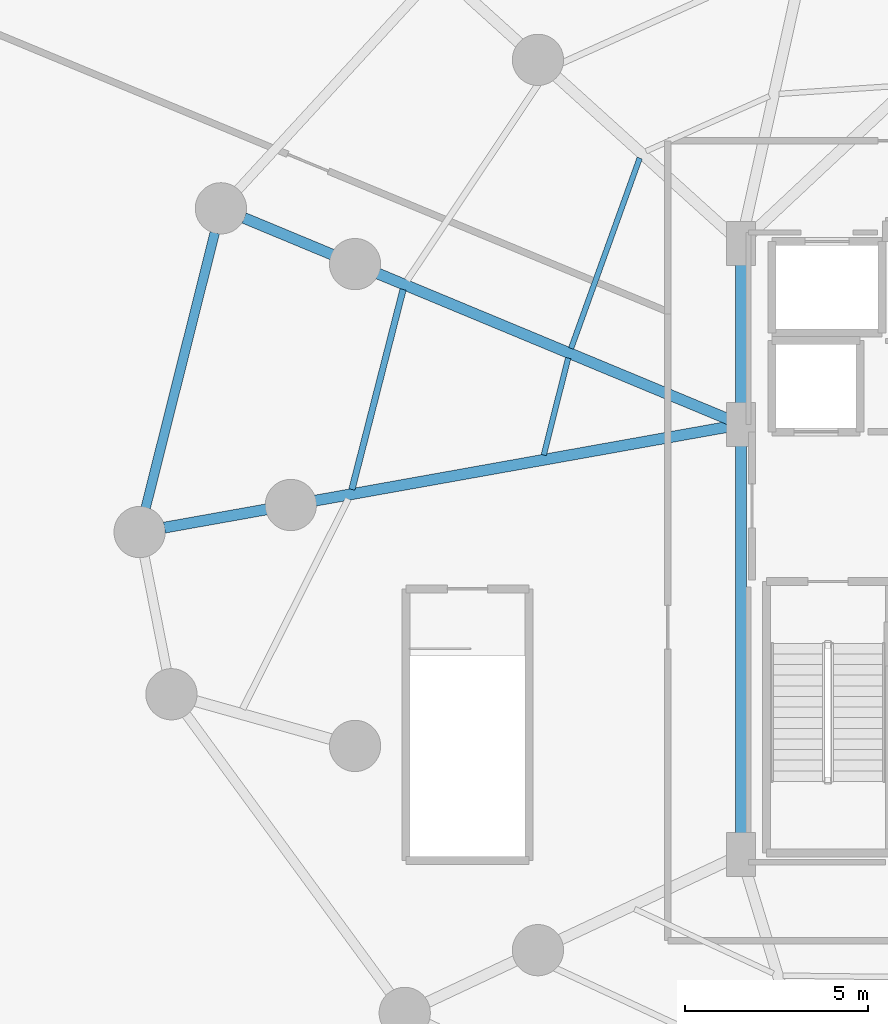
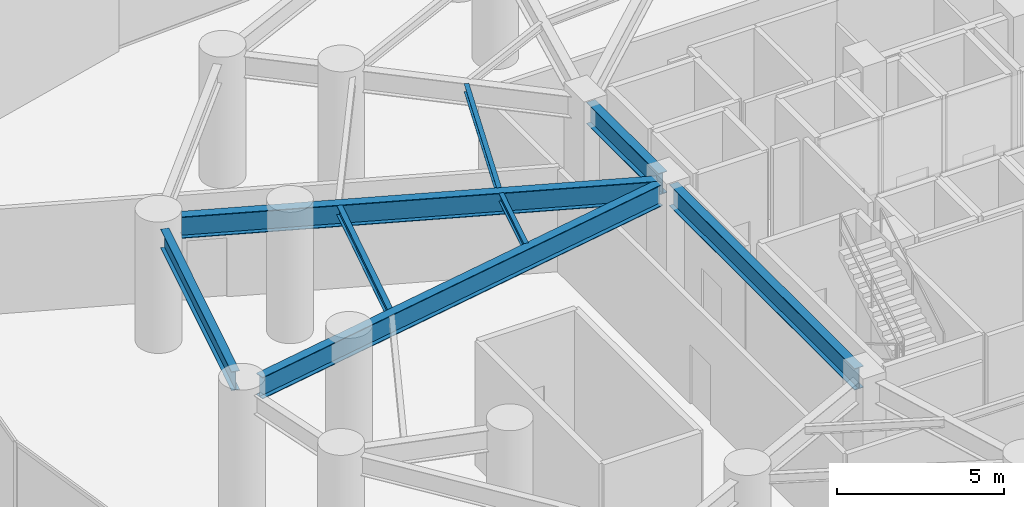
# One storey, part 8 of 32: 8 beams.
"""IFC4 building model written with IfcOpenShell, lengths in metres."""

from ifc_helpers import new_model, si_unit, direction, frame, origin, origin_2d, place, context, subcontext, project, spatial, i_section, extrude, material, material_profile, profile_set, type_object, element, save


model = new_model("IFC4")

# Units and contexts
model_context = context("Model", 3, precision=1e-05, world=origin(), true_north=direction((0.0, 1.0)))
body_context = subcontext(model_context, "Body", "Model", "MODEL_VIEW")
ifc_project = project(units=[si_unit("LENGTHUNIT", "METRE"), si_unit("AREAUNIT", "SQUARE_METRE"), si_unit("VOLUMEUNIT", "CUBIC_METRE"), si_unit("PLANEANGLEUNIT", "RADIAN"), si_unit("MASSUNIT", "GRAM", prefix="KILO")], contexts=[model_context])

# Site, building, storey
site_placement = place(None, origin())
site = spatial("IfcSite", under=ifc_project, at=site_placement, CompositionType="ELEMENT")
building_placement = place(site_placement, origin())
building = spatial("IfcBuilding", under=site, at=building_placement, Name="Vorneva Point Tower", CompositionType="ELEMENT")
storey_placement = place(building_placement, frame((0.0, 0.0, 19.199951171875)))
storey = spatial("IfcBuildingStorey", under=building, at=storey_placement, Name="L04", CompositionType="ELEMENT", Elevation=19.199951171875)

# Beams
ifc_material = material(Name="Steel S355", Category="steel")
ifc_material_profile_1 = material_profile(ifc_material, i_section(OverallWidth=0.300048828125, OverallDepth=0.7880859375, WebThickness=0.014404296875, FlangeThickness=0.02197265625, at=origin_2d()), Name="80Sh1")
ifc_profile_set_1 = profile_set([ifc_material_profile_1], Name="Steel S355")
beam_type_1 = type_object("IfcBeamType", Name="BM-GRD-80Sh1", PredefinedType="USERDEFINED", material=ifc_profile_set_1)
beam_1_placement = place(storey_placement, frame((13.67431640625, 33.84130859375, 4.14599609375), z_axis=(0.923446675724, -0.383726774014, 0.0), x_axis=(0.383726774014, 0.923446675724, 0.0)))
element("IfcBeam", 1, at=beam_1_placement, inside=storey, type_object=beam_type_1, Name="L04 Radial Primary Girder 08", ObjectType="GIRDER", PredefinedType="USERDEFINED", context=body_context, shape_type="SweptSolid", body=[
    extrude(i_section(OverallWidth=0.300048828125, OverallDepth=0.7880859375, WebThickness=0.014404296875, FlangeThickness=0.02197265625, at=origin_2d()), origin(), (0.0, 0.0, 1.0), 14.361083984375),
])
beam_2_placement = place(storey_placement, frame((11.4951171875, 25.382080078125, 4.14599609375), z_axis=(0.984378315353, 0.17606627236, 0.0), x_axis=(-0.17606627236, 0.984378315353, 0.0)))
element("IfcBeam", 2, at=beam_2_placement, inside=storey, type_object=beam_type_1, Name="L04 Radial Primary Girder 09", ObjectType="GIRDER", PredefinedType="USERDEFINED", context=body_context, shape_type="SweptSolid", body=[
    extrude(i_section(OverallWidth=0.300048828125, OverallDepth=0.7880859375, WebThickness=0.014404296875, FlangeThickness=0.02197265625, at=origin_2d()), origin(), (0.0, 0.0, 1.0), 15.664794921875),
])
beam_3_placement = place(storey_placement, frame((27.25, 16.77001953125, 4.14599609375), z_axis=(0.0, 1.0, 0.0), x_axis=(-1.0, 0.0, 0.0)))
element("IfcBeam", 3, at=beam_3_placement, inside=storey, type_object=beam_type_1, Name="L04 Core Tie Girder CT1", ObjectType="GIRDER", PredefinedType="USERDEFINED", context=body_context, shape_type="SweptSolid", body=[
    extrude(i_section(OverallWidth=0.300048828125, OverallDepth=0.7880859375, WebThickness=0.014404296875, FlangeThickness=0.02197265625, at=origin_2d()), origin(), (0.0, 0.0, 1.0), 11.10986328125),
])
beam_4_placement = place(storey_placement, frame((27.25, 28.52001953125, 4.14599609375), z_axis=(0.0, 1.0, 0.0), x_axis=(-1.0, 0.0, 0.0)))
element("IfcBeam", 4, at=beam_4_placement, inside=storey, type_object=beam_type_1, Name="L04 Core Tie Girder CT2", ObjectType="GIRDER", PredefinedType="USERDEFINED", context=body_context, shape_type="SweptSolid", body=[
    extrude(i_section(OverallWidth=0.300048828125, OverallDepth=0.7880859375, WebThickness=0.014404296875, FlangeThickness=0.02197265625, at=origin_2d()), origin(), (0.0, 0.0, 1.0), 4.31005859375),
])
ifc_material_profile_2 = material_profile(ifc_material, i_section(OverallWidth=0.14892578125, OverallDepth=0.298095703125, WebThickness=0.005615234375, FlangeThickness=0.008056640625, at=origin_2d()), Name="30B1")
ifc_profile_set_2 = profile_set([ifc_material_profile_2], Name="Steel S355")
beam_type_2 = type_object("IfcBeamType", Name="BM-JST-30B1", PredefinedType="JOIST", material=ifc_profile_set_2)
beam_5_placement = place(storey_placement, frame((24.48095703125, 35.47900390625, 4.39111328125), z_axis=(-0.339110431464, -0.940746573351, 0.0), x_axis=(0.940746573351, -0.339110431464, 0.0)))
element("IfcBeam", 5, at=beam_5_placement, inside=storey, type_object=beam_type_2, Name="L04 Secondary Floor Beam 2.07", PredefinedType="JOIST", context=body_context, shape_type="SweptSolid", body=[
    extrude(i_section(OverallWidth=0.14892578125, OverallDepth=0.298095703125, WebThickness=0.005615234375, FlangeThickness=0.008056640625, at=origin_2d()), origin(), (0.0, 0.0, 1.0), 5.52783203125),
])
beam_6_placement = place(storey_placement, frame((22.526123046875, 30.015380859375, 4.39111328125), z_axis=(-0.243523060265, -0.969895107277, 0.0), x_axis=(0.969895107277, -0.243523060265, 0.0)))
element("IfcBeam", 6, at=beam_6_placement, inside=storey, type_object=beam_type_2, Name="L04 Secondary Floor Beam 2.08", PredefinedType="JOIST", context=body_context, shape_type="SweptSolid", body=[
    extrude(i_section(OverallWidth=0.14892578125, OverallDepth=0.298095703125, WebThickness=0.005615234375, FlangeThickness=0.008056640625, at=origin_2d()), origin(), (0.0, 0.0, 1.0), 2.73388671875),
])
ifc_material_profile_3 = material_profile(ifc_material, i_section(OverallWidth=0.174072265625, OverallDepth=0.345947265625, WebThickness=0.006103515625, FlangeThickness=0.009033203125, at=origin_2d()), Name="35B1")
ifc_profile_set_3 = profile_set([ifc_material_profile_3], Name="Steel S355")
beam_type_3 = type_object("IfcBeamType", Name="BM-SEC-35B1", PredefinedType="BEAM", material=ifc_profile_set_3)
beam_7_placement = place(storey_placement, frame((18.0166015625, 31.88916015625, 4.366943359375), z_axis=(-0.247971207517, -0.96876740255, 0.0), x_axis=(0.96876740255, -0.247971207517, 0.0)))
element("IfcBeam", 7, at=beam_7_placement, inside=storey, type_object=beam_type_3, Name="L04 Secondary Floor Beam 1.08", PredefinedType="BEAM", context=body_context, shape_type="SweptSolid", body=[
    extrude(i_section(OverallWidth=0.174072265625, OverallDepth=0.345947265625, WebThickness=0.006103515625, FlangeThickness=0.009033203125, at=origin_2d()), origin(), (0.0, 0.0, 1.0), 5.639404296875),
])
ifc_material_profile_4 = material_profile(ifc_material, i_section(OverallWidth=0.260009765625, OverallDepth=0.69091796875, WebThickness=0.011962890625, FlangeThickness=0.015380859375, at=origin_2d()), Name="70B1")
ifc_profile_set_4 = profile_set([ifc_material_profile_4], Name="Steel S355")
beam_type_4 = type_object("IfcBeamType", Name="BM-SPN-70B1", PredefinedType="SPANDREL", material=ifc_profile_set_4)
beam_8_placement = place(storey_placement, frame((12.872314453125, 33.44091796875, 4.194580078125), z_axis=(-0.243602969388, -0.969875040047, 0.0), x_axis=(0.969875040047, -0.243602969388, 0.0)))
element("IfcBeam", 8, at=beam_8_placement, inside=storey, type_object=beam_type_4, Name="L04 Perimeter Spandrel Ring Beam 08", PredefinedType="SPANDREL", context=body_context, shape_type="SweptSolid", body=[
    extrude(i_section(OverallWidth=0.260009765625, OverallDepth=0.69091796875, WebThickness=0.011962890625, FlangeThickness=0.015380859375, at=origin_2d()), origin(), (0.0, 0.0, 1.0), 7.7490234375),
])

save(model, "model.ifc")
